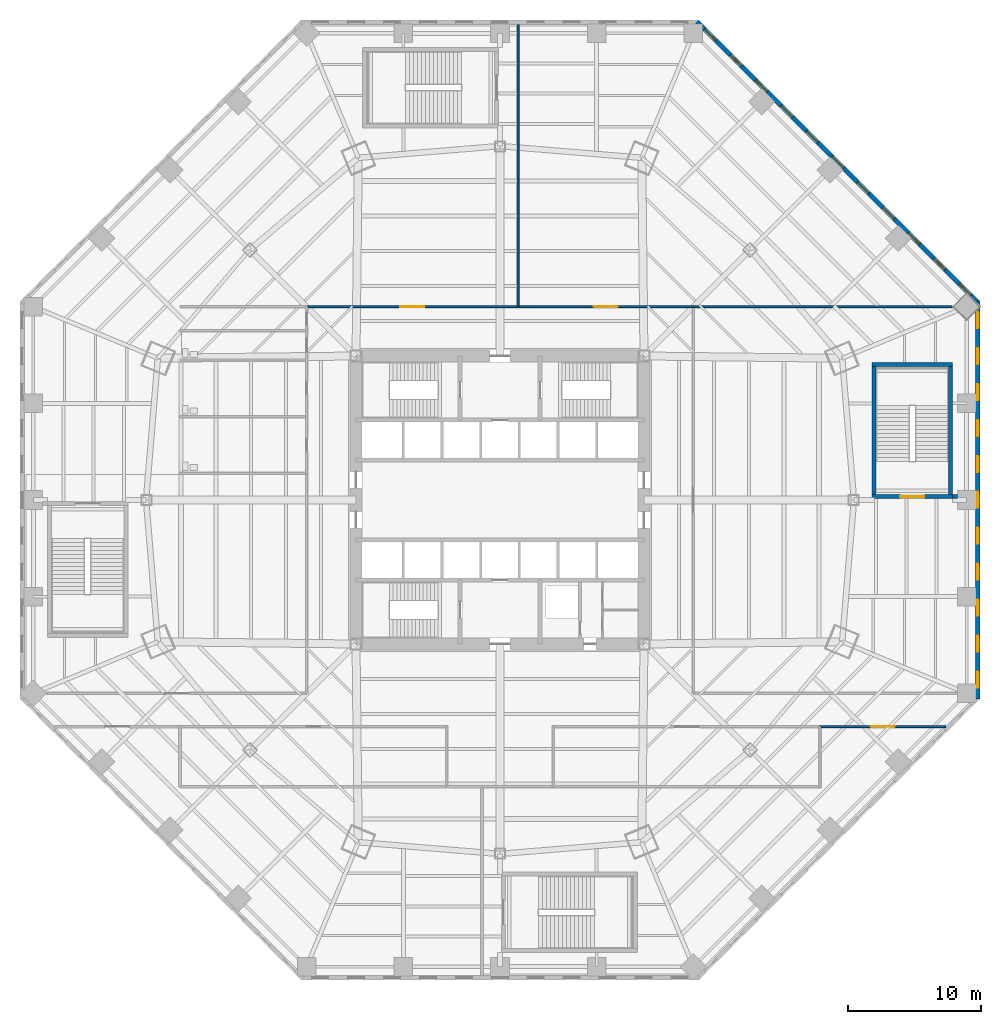
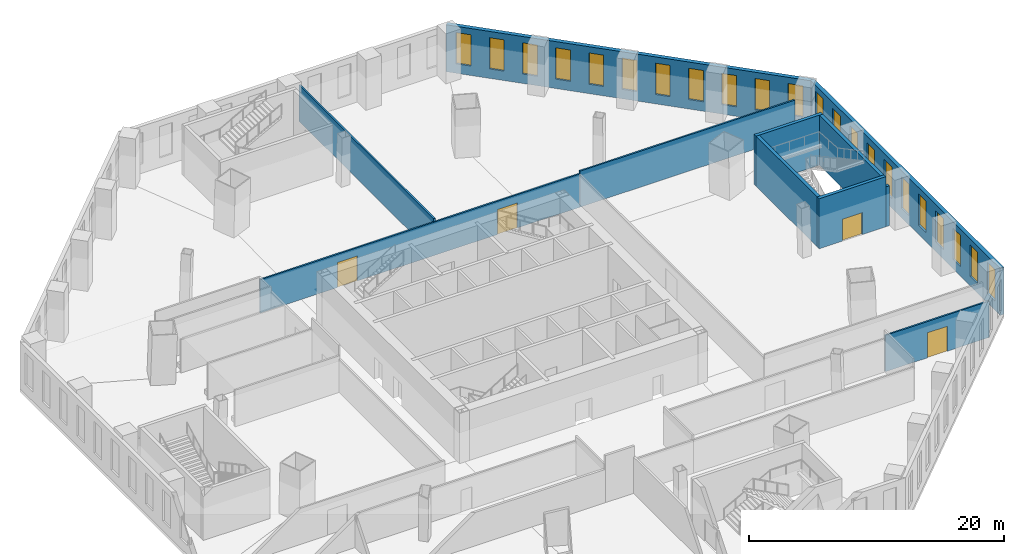
# One storey, part 13 of 19: 22 windows, 11 walls, 4 doors, 26 openings.
"""IFC4 building model written with IfcOpenShell, lengths in metres."""

from ifc_helpers import new_model, si_unit, direction, frame, frame_2d, origin, place, context, subcontext, project, spatial, rectangle, extrude, material, layer, layer_set, type_object, element, fill, save


model = new_model("IFC4")

# Units and contexts
model_context = context("Model", 3, precision=1e-05, world=origin(), true_north=direction((0.0, 1.0)))
body_context = subcontext(model_context, "Body", "Model", "MODEL_VIEW")
ifc_project = project(units=[si_unit("LENGTHUNIT", "METRE"), si_unit("AREAUNIT", "SQUARE_METRE"), si_unit("VOLUMEUNIT", "CUBIC_METRE"), si_unit("PLANEANGLEUNIT", "RADIAN"), si_unit("MASSUNIT", "GRAM", prefix="KILO")], contexts=[model_context])

# Site, building, storey
site_placement = place(None, origin())
site = spatial("IfcSite", under=ifc_project, at=site_placement, CompositionType="ELEMENT")
building_placement = place(site_placement, origin())
building = spatial("IfcBuilding", under=site, at=building_placement, Name="Mashrafa Tower", CompositionType="ELEMENT")
storey_placement = place(building_placement, frame((0.0, 0.0, 24.0)))
storey = spatial("IfcBuildingStorey", under=building, at=storey_placement, Name="L04", CompositionType="ELEMENT", Elevation=24.0)

# Wall, opening, door
ifc_material_1 = material(Name="Gypsum board on steel studs", Category="steel")
ifc_layer_1 = layer(ifc_material_1, 0.14990234375)
ifc_layer_set_1 = layer_set([ifc_layer_1], Name="Corridor partition 150 1 hr")
wall_type_1 = type_object("IfcWallType", Name="Corridor partition 150 1 hr", PredefinedType="PARTITIONING", material=ifc_layer_set_1)
wall_1_placement = place(storey_placement, frame((33.416748046875, -17.0, 0.0), z_axis=(0.0, 0.0, 1.0), x_axis=(-1.0, 0.0, 0.0)))
wall_1 = element("IfcWall", 1, at=wall_1_placement, inside=storey, type_object=wall_type_1, Name="Corridor wall L04-018", PredefinedType="PARTITIONING", context=body_context, shape_type="SweptSolid", body=[
    extrude(rectangle(XDim=9.416748046875, YDim=0.14990234375, at=frame_2d((4.70849609375, 0.0))), origin(), (0.0, 0.0, 1.0), 3.47900390625),
])
opening_1_placement = place(wall_1_placement, frame((3.808349609375, 0.0, 0.0)))
opening_1 = element("IfcOpeningElement", 2, at=opening_1_placement, cuts=wall_1, Name="Opening 04.006", PredefinedType="OPENING", context=body_context, shape_type="SweptSolid", body=[
    extrude(rectangle(XDim=1.800048828125, YDim=2.39990234375, at=frame_2d((0.89990234375, 1.199951171875))), frame((0.0, 0.0849609375, 0.0), z_axis=(0.0, -1.0, 0.0), x_axis=(1.0, 0.0, 0.0)), (0.0, 0.0, 1.0), 0.169921875),
])
ifc_material_2 = material(Name="Timber door", Category="wood")
door_type_1 = type_object("IfcDoorType", Name="Door pair 1800 x 2400", OperationType="DOUBLE_DOOR_SINGLE_SWING", PredefinedType="DOOR", material=ifc_material_2)
door_1_placement = place(opening_1_placement, origin())
door_1 = element("IfcDoor", 3, at=door_1_placement, inside=storey, type_object=door_type_1, Name="Civic Office 404 door", OperationType="DOUBLE_DOOR_SINGLE_SWING", OverallHeight=2.39990234375, OverallWidth=1.800048828125, PredefinedType="DOOR", context=body_context, shape_type="SweptSolid", body=[
    extrude(rectangle(XDim=1.800048828125, YDim=2.39990234375, at=frame_2d((0.89990234375, 1.199951171875))), frame((0.0, 0.02490234375, 0.0), z_axis=(0.0, -1.0, 0.0), x_axis=(1.0, 0.0, 0.0)), (0.0, 0.0, 1.0), 0.050048828125),
])
fill(opening_1, door_1)

# Wall, openings, doors
wall_2_placement = place(storey_placement, frame((-14.5009765625, 14.5, 0.0), z_axis=(0.0, 0.0, 1.0), x_axis=(1.0, 0.0, 0.0)))
wall_2 = element("IfcWall", 4, at=wall_2_placement, inside=storey, type_object=wall_type_1, Name="Corridor wall L04-022", PredefinedType="PARTITIONING", context=body_context, shape_type="SweptSolid", body=[
    extrude(rectangle(XDim=29.001953125, YDim=0.14990234375, at=frame_2d((14.5009765625, 0.0))), origin(), (0.0, 0.0, 1.0), 3.18994140625),
])
opening_2_placement = place(wall_2_placement, frame((7.025390625, 0.0, 0.0)))
opening_2 = element("IfcOpeningElement", 5, at=opening_2_placement, cuts=wall_2, Name="Opening 04.008", PredefinedType="OPENING", context=body_context, shape_type="SweptSolid", body=[
    extrude(rectangle(XDim=1.800048828125, YDim=2.39990234375, at=frame_2d((0.89990234375, 1.199951171875))), frame((0.0, 0.0849609375, 0.0), z_axis=(0.0, -1.0, 0.0), x_axis=(1.0, 0.0, 0.0)), (0.0, 0.0, 1.0), 0.169921875),
])
opening_3_placement = place(wall_2_placement, frame((21.526611328125, 0.0, 0.0)))
opening_3 = element("IfcOpeningElement", 6, at=opening_3_placement, cuts=wall_2, Name="Opening 04.009", PredefinedType="OPENING", context=body_context, shape_type="SweptSolid", body=[
    extrude(rectangle(XDim=1.800048828125, YDim=2.39990234375, at=frame_2d((0.89990234375, 1.199951171875))), frame((0.0, 0.0849609375, 0.0), z_axis=(0.0, -1.0, 0.0), x_axis=(1.0, 0.0, 0.0)), (0.0, 0.0, 1.0), 0.169921875),
])
door_2_placement = place(opening_2_placement, origin())
door_2 = element("IfcDoor", 7, at=door_2_placement, inside=storey, type_object=door_type_1, Name="Civic Office 401 door", OperationType="DOUBLE_DOOR_SINGLE_SWING", OverallHeight=2.39990234375, OverallWidth=1.800048828125, PredefinedType="DOOR", context=body_context, shape_type="SweptSolid", body=[
    extrude(rectangle(XDim=1.800048828125, YDim=2.39990234375, at=frame_2d((0.89990234375, 1.199951171875))), frame((0.0, 0.02490234375, 0.0), z_axis=(0.0, -1.0, 0.0), x_axis=(1.0, 0.0, 0.0)), (0.0, 0.0, 1.0), 0.050048828125),
])
fill(opening_2, door_2)
door_3_placement = place(opening_3_placement, frame((1.800048828125, 0.0, 0.0), z_axis=(0.0, 0.0, 1.0), x_axis=(-1.0, 0.0, 0.0)))
door_3 = element("IfcDoor", 8, at=door_3_placement, inside=storey, type_object=door_type_1, Name="Civic Office 402 door", OperationType="DOUBLE_DOOR_SINGLE_SWING", OverallHeight=2.39990234375, OverallWidth=1.800048828125, PredefinedType="DOOR", context=body_context, shape_type="SweptSolid", body=[
    extrude(rectangle(XDim=1.800048828125, YDim=2.39990234375, at=frame_2d((0.89990234375, 1.199951171875))), frame((0.0, 0.02490234375, 0.0), z_axis=(0.0, -1.0, 0.0), x_axis=(1.0, 0.0, 0.0)), (0.0, 0.0, 1.0), 0.050048828125),
])
fill(opening_3, door_3)

# Wall, openings, windows
ifc_material_3 = material(Name="Riyadh limestone cladding on blockwork", Category="masonry")
ifc_layer_2 = layer(ifc_material_3, 0.35009765625)
ifc_layer_set_2 = layer_set([ifc_layer_2], Name="Limestone-clad external wall 350")
wall_type_2 = type_object("IfcWallType", Name="Limestone-clad external wall 350", PredefinedType="SOLIDWALL", material=ifc_layer_set_2)
wall_3_placement = place(storey_placement, frame((35.824951171875, -14.91162109375, 0.0), z_axis=(0.0, 0.0, 1.0), x_axis=(0.0, 1.0, 0.0)))
wall_3 = element("IfcWall", 9, at=wall_3_placement, inside=storey, type_object=wall_type_2, Name="Limestone-clad external wall L04 east", PredefinedType="SOLIDWALL", context=body_context, shape_type="SweptSolid", body=[
    extrude(rectangle(XDim=29.8232421875, YDim=0.35009765625, at=frame_2d((14.91162109375, 0.0))), origin(), (0.0, 0.0, 1.0), 4.5),
])
opening_4_placement = place(wall_3_placement, frame((0.821533203125, 0.0, 0.89990234375)))
opening_4 = element("IfcOpeningElement", 10, at=opening_4_placement, cuts=wall_3, Name="Opening W3", PredefinedType="OPENING", context=body_context, shape_type="SweptSolid", body=[
    extrude(rectangle(XDim=1.199951171875, YDim=3.0, at=frame_2d((0.60009765625, 1.5))), frame((0.0, 0.18505859375, 0.0), z_axis=(0.0, -1.0, 0.0), x_axis=(1.0, 0.0, 0.0)), (0.0, 0.0, 1.0), 0.3701171875),
])
opening_5_placement = place(wall_3_placement, frame((3.51953125, 0.0, 0.89990234375)))
opening_5 = element("IfcOpeningElement", 11, at=opening_5_placement, cuts=wall_3, Name="Opening W3", PredefinedType="OPENING", context=body_context, shape_type="SweptSolid", body=[
    extrude(rectangle(XDim=1.199951171875, YDim=3.0, at=frame_2d((0.60009765625, 1.5))), frame((0.0, 0.18505859375, 0.0), z_axis=(0.0, -1.0, 0.0), x_axis=(1.0, 0.0, 0.0)), (0.0, 0.0, 1.0), 0.3701171875),
])
opening_6_placement = place(wall_3_placement, frame((6.217529296875, 0.0, 0.89990234375)))
opening_6 = element("IfcOpeningElement", 12, at=opening_6_placement, cuts=wall_3, Name="Opening W3", PredefinedType="OPENING", context=body_context, shape_type="SweptSolid", body=[
    extrude(rectangle(XDim=1.199951171875, YDim=3.0, at=frame_2d((0.60009765625, 1.5))), frame((0.0, 0.18505859375, 0.0), z_axis=(0.0, -1.0, 0.0), x_axis=(1.0, 0.0, 0.0)), (0.0, 0.0, 1.0), 0.3701171875),
])
opening_7_placement = place(wall_3_placement, frame((8.91552734375, 0.0, 0.89990234375)))
opening_7 = element("IfcOpeningElement", 13, at=opening_7_placement, cuts=wall_3, Name="Opening W3", PredefinedType="OPENING", context=body_context, shape_type="SweptSolid", body=[
    extrude(rectangle(XDim=1.199951171875, YDim=3.0, at=frame_2d((0.60009765625, 1.5))), frame((0.0, 0.18505859375, 0.0), z_axis=(0.0, -1.0, 0.0), x_axis=(1.0, 0.0, 0.0)), (0.0, 0.0, 1.0), 0.3701171875),
])
opening_8_placement = place(wall_3_placement, frame((11.61376953125, 0.0, 0.89990234375)))
opening_8 = element("IfcOpeningElement", 14, at=opening_8_placement, cuts=wall_3, Name="Opening W3", PredefinedType="OPENING", context=body_context, shape_type="SweptSolid", body=[
    extrude(rectangle(XDim=1.199951171875, YDim=3.0, at=frame_2d((0.60009765625, 1.5))), frame((0.0, 0.18505859375, 0.0), z_axis=(0.0, -1.0, 0.0), x_axis=(1.0, 0.0, 0.0)), (0.0, 0.0, 1.0), 0.3701171875),
])
opening_9_placement = place(wall_3_placement, frame((14.311767578125, 0.0, 0.89990234375)))
opening_9 = element("IfcOpeningElement", 15, at=opening_9_placement, cuts=wall_3, Name="Opening W3", PredefinedType="OPENING", context=body_context, shape_type="SweptSolid", body=[
    extrude(rectangle(XDim=1.199951171875, YDim=3.0, at=frame_2d((0.60009765625, 1.5))), frame((0.0, 0.18505859375, 0.0), z_axis=(0.0, -1.0, 0.0), x_axis=(1.0, 0.0, 0.0)), (0.0, 0.0, 1.0), 0.3701171875),
])
opening_10_placement = place(wall_3_placement, frame((17.009765625, 0.0, 0.89990234375)))
opening_10 = element("IfcOpeningElement", 16, at=opening_10_placement, cuts=wall_3, Name="Opening W3", PredefinedType="OPENING", context=body_context, shape_type="SweptSolid", body=[
    extrude(rectangle(XDim=1.199951171875, YDim=3.0, at=frame_2d((0.60009765625, 1.5))), frame((0.0, 0.18505859375, 0.0), z_axis=(0.0, -1.0, 0.0), x_axis=(1.0, 0.0, 0.0)), (0.0, 0.0, 1.0), 0.3701171875),
])
opening_11_placement = place(wall_3_placement, frame((19.707763671875, 0.0, 0.89990234375)))
opening_11 = element("IfcOpeningElement", 17, at=opening_11_placement, cuts=wall_3, Name="Opening W3", PredefinedType="OPENING", context=body_context, shape_type="SweptSolid", body=[
    extrude(rectangle(XDim=1.199951171875, YDim=3.0, at=frame_2d((0.60009765625, 1.5))), frame((0.0, 0.18505859375, 0.0), z_axis=(0.0, -1.0, 0.0), x_axis=(1.0, 0.0, 0.0)), (0.0, 0.0, 1.0), 0.3701171875),
])
opening_12_placement = place(wall_3_placement, frame((22.40576171875, 0.0, 0.89990234375)))
opening_12 = element("IfcOpeningElement", 18, at=opening_12_placement, cuts=wall_3, Name="Opening W3", PredefinedType="OPENING", context=body_context, shape_type="SweptSolid", body=[
    extrude(rectangle(XDim=1.199951171875, YDim=3.0, at=frame_2d((0.60009765625, 1.5))), frame((0.0, 0.18505859375, 0.0), z_axis=(0.0, -1.0, 0.0), x_axis=(1.0, 0.0, 0.0)), (0.0, 0.0, 1.0), 0.3701171875),
])
opening_13_placement = place(wall_3_placement, frame((25.103759765625, 0.0, 0.89990234375)))
opening_13 = element("IfcOpeningElement", 19, at=opening_13_placement, cuts=wall_3, Name="Opening W3", PredefinedType="OPENING", context=body_context, shape_type="SweptSolid", body=[
    extrude(rectangle(XDim=1.199951171875, YDim=3.0, at=frame_2d((0.60009765625, 1.5))), frame((0.0, 0.18505859375, 0.0), z_axis=(0.0, -1.0, 0.0), x_axis=(1.0, 0.0, 0.0)), (0.0, 0.0, 1.0), 0.3701171875),
])
opening_14_placement = place(wall_3_placement, frame((27.8017578125, 0.0, 0.89990234375)))
opening_14 = element("IfcOpeningElement", 20, at=opening_14_placement, cuts=wall_3, Name="Opening W3", PredefinedType="OPENING", context=body_context, shape_type="SweptSolid", body=[
    extrude(rectangle(XDim=1.199951171875, YDim=3.0, at=frame_2d((0.60009765625, 1.5))), frame((0.0, 0.18505859375, 0.0), z_axis=(0.0, -1.0, 0.0), x_axis=(1.0, 0.0, 0.0)), (0.0, 0.0, 1.0), 0.3701171875),
])
ifc_material_4 = material(Name="Bronze-framed insulated glazing", Category="glass")
window_type = type_object("IfcWindowType", Name="Tall punched window 1200 x 3000", PartitioningType="DOUBLE_PANEL_HORIZONTAL", PredefinedType="WINDOW", material=ifc_material_4)
window_1_placement = place(opening_4_placement, origin())
window_1 = element("IfcWindow", 21, at=window_1_placement, inside=storey, type_object=window_type, Name="Window W3 L04 east bay 1", OverallHeight=3.0, OverallWidth=1.199951171875, PartitioningType="SINGLE_PANEL", PredefinedType="WINDOW", context=body_context, shape_type="SweptSolid", body=[
    extrude(rectangle(XDim=1.199951171875, YDim=3.0, at=frame_2d((0.60009765625, 1.5))), frame((0.0, 0.030029296875, 0.0), z_axis=(0.0, -1.0, 0.0), x_axis=(1.0, 0.0, 0.0)), (0.0, 0.0, 1.0), 0.06005859375),
])
fill(opening_4, window_1)
window_2_placement = place(opening_5_placement, origin())
window_2 = element("IfcWindow", 22, at=window_2_placement, inside=storey, type_object=window_type, Name="Window W3 L04 east bay 2", OverallHeight=3.0, OverallWidth=1.199951171875, PartitioningType="SINGLE_PANEL", PredefinedType="WINDOW", context=body_context, shape_type="SweptSolid", body=[
    extrude(rectangle(XDim=1.199951171875, YDim=3.0, at=frame_2d((0.60009765625, 1.5))), frame((0.0, 0.030029296875, 0.0), z_axis=(0.0, -1.0, 0.0), x_axis=(1.0, 0.0, 0.0)), (0.0, 0.0, 1.0), 0.06005859375),
])
fill(opening_5, window_2)
window_3_placement = place(opening_6_placement, origin())
window_3 = element("IfcWindow", 23, at=window_3_placement, inside=storey, type_object=window_type, Name="Window W3 L04 east bay 3", OverallHeight=3.0, OverallWidth=1.199951171875, PartitioningType="SINGLE_PANEL", PredefinedType="WINDOW", context=body_context, shape_type="SweptSolid", body=[
    extrude(rectangle(XDim=1.199951171875, YDim=3.0, at=frame_2d((0.60009765625, 1.5))), frame((0.0, 0.030029296875, 0.0), z_axis=(0.0, -1.0, 0.0), x_axis=(1.0, 0.0, 0.0)), (0.0, 0.0, 1.0), 0.06005859375),
])
fill(opening_6, window_3)
window_4_placement = place(opening_7_placement, origin())
window_4 = element("IfcWindow", 24, at=window_4_placement, inside=storey, type_object=window_type, Name="Window W3 L04 east bay 4", OverallHeight=3.0, OverallWidth=1.199951171875, PartitioningType="SINGLE_PANEL", PredefinedType="WINDOW", context=body_context, shape_type="SweptSolid", body=[
    extrude(rectangle(XDim=1.199951171875, YDim=3.0, at=frame_2d((0.60009765625, 1.5))), frame((0.0, 0.030029296875, 0.0), z_axis=(0.0, -1.0, 0.0), x_axis=(1.0, 0.0, 0.0)), (0.0, 0.0, 1.0), 0.06005859375),
])
fill(opening_7, window_4)
window_5_placement = place(opening_8_placement, origin())
window_5 = element("IfcWindow", 25, at=window_5_placement, inside=storey, type_object=window_type, Name="Window W3 L04 east bay 5", OverallHeight=3.0, OverallWidth=1.199951171875, PartitioningType="SINGLE_PANEL", PredefinedType="WINDOW", context=body_context, shape_type="SweptSolid", body=[
    extrude(rectangle(XDim=1.199951171875, YDim=3.0, at=frame_2d((0.60009765625, 1.5))), frame((0.0, 0.030029296875, 0.0), z_axis=(0.0, -1.0, 0.0), x_axis=(1.0, 0.0, 0.0)), (0.0, 0.0, 1.0), 0.06005859375),
])
fill(opening_8, window_5)
window_6_placement = place(opening_9_placement, origin())
window_6 = element("IfcWindow", 26, at=window_6_placement, inside=storey, type_object=window_type, Name="Window W3 L04 east bay 6", OverallHeight=3.0, OverallWidth=1.199951171875, PartitioningType="SINGLE_PANEL", PredefinedType="WINDOW", context=body_context, shape_type="SweptSolid", body=[
    extrude(rectangle(XDim=1.199951171875, YDim=3.0, at=frame_2d((0.60009765625, 1.5))), frame((0.0, 0.030029296875, 0.0), z_axis=(0.0, -1.0, 0.0), x_axis=(1.0, 0.0, 0.0)), (0.0, 0.0, 1.0), 0.06005859375),
])
fill(opening_9, window_6)
window_7_placement = place(opening_10_placement, origin())
window_7 = element("IfcWindow", 27, at=window_7_placement, inside=storey, type_object=window_type, Name="Window W3 L04 east bay 7", OverallHeight=3.0, OverallWidth=1.199951171875, PartitioningType="SINGLE_PANEL", PredefinedType="WINDOW", context=body_context, shape_type="SweptSolid", body=[
    extrude(rectangle(XDim=1.199951171875, YDim=3.0, at=frame_2d((0.60009765625, 1.5))), frame((0.0, 0.030029296875, 0.0), z_axis=(0.0, -1.0, 0.0), x_axis=(1.0, 0.0, 0.0)), (0.0, 0.0, 1.0), 0.06005859375),
])
fill(opening_10, window_7)
window_8_placement = place(opening_11_placement, origin())
window_8 = element("IfcWindow", 28, at=window_8_placement, inside=storey, type_object=window_type, Name="Window W3 L04 east bay 8", OverallHeight=3.0, OverallWidth=1.199951171875, PartitioningType="SINGLE_PANEL", PredefinedType="WINDOW", context=body_context, shape_type="SweptSolid", body=[
    extrude(rectangle(XDim=1.199951171875, YDim=3.0, at=frame_2d((0.60009765625, 1.5))), frame((0.0, 0.030029296875, 0.0), z_axis=(0.0, -1.0, 0.0), x_axis=(1.0, 0.0, 0.0)), (0.0, 0.0, 1.0), 0.06005859375),
])
fill(opening_11, window_8)
window_9_placement = place(opening_12_placement, origin())
window_9 = element("IfcWindow", 29, at=window_9_placement, inside=storey, type_object=window_type, Name="Window W3 L04 east bay 9", OverallHeight=3.0, OverallWidth=1.199951171875, PartitioningType="SINGLE_PANEL", PredefinedType="WINDOW", context=body_context, shape_type="SweptSolid", body=[
    extrude(rectangle(XDim=1.199951171875, YDim=3.0, at=frame_2d((0.60009765625, 1.5))), frame((0.0, 0.030029296875, 0.0), z_axis=(0.0, -1.0, 0.0), x_axis=(1.0, 0.0, 0.0)), (0.0, 0.0, 1.0), 0.06005859375),
])
fill(opening_12, window_9)
window_10_placement = place(opening_13_placement, origin())
window_10 = element("IfcWindow", 30, at=window_10_placement, inside=storey, type_object=window_type, Name="Window W3 L04 east bay 10", OverallHeight=3.0, OverallWidth=1.199951171875, PartitioningType="SINGLE_PANEL", PredefinedType="WINDOW", context=body_context, shape_type="SweptSolid", body=[
    extrude(rectangle(XDim=1.199951171875, YDim=3.0, at=frame_2d((0.60009765625, 1.5))), frame((0.0, 0.030029296875, 0.0), z_axis=(0.0, -1.0, 0.0), x_axis=(1.0, 0.0, 0.0)), (0.0, 0.0, 1.0), 0.06005859375),
])
fill(opening_13, window_10)
window_11_placement = place(opening_14_placement, origin())
window_11 = element("IfcWindow", 31, at=window_11_placement, inside=storey, type_object=window_type, Name="Window W3 L04 east bay 11", OverallHeight=3.0, OverallWidth=1.199951171875, PartitioningType="SINGLE_PANEL", PredefinedType="WINDOW", context=body_context, shape_type="SweptSolid", body=[
    extrude(rectangle(XDim=1.199951171875, YDim=3.0, at=frame_2d((0.60009765625, 1.5))), frame((0.0, 0.030029296875, 0.0), z_axis=(0.0, -1.0, 0.0), x_axis=(1.0, 0.0, 0.0)), (0.0, 0.0, 1.0), 0.06005859375),
])
fill(opening_14, window_11)

wall_4_placement = place(storey_placement, frame((35.876220703125, 14.787841796875, 0.0), z_axis=(0.0, 0.0, 1.0), x_axis=(-0.707106781187, 0.707106781187, 0.0)))
wall_4 = element("IfcWall", 32, at=wall_4_placement, inside=storey, type_object=wall_type_2, Name="Limestone-clad external wall L04 north-east", PredefinedType="SOLIDWALL", context=body_context, shape_type="SweptSolid", body=[
    extrude(rectangle(XDim=29.823486328125, YDim=0.35009765625, at=frame_2d((14.91162109375, 0.0))), origin(), (0.0, 0.0, 1.0), 4.5),
])
opening_15_placement = place(wall_4_placement, frame((0.821533203125, 0.0, 0.89990234375)))
opening_15 = element("IfcOpeningElement", 33, at=opening_15_placement, cuts=wall_4, Name="Opening W3", PredefinedType="OPENING", context=body_context, shape_type="SweptSolid", body=[
    extrude(rectangle(XDim=1.199951171875, YDim=3.0, at=frame_2d((0.60009765625, 1.5))), frame((0.0, 0.18505859375, 0.0), z_axis=(0.0, -1.0, 0.0), x_axis=(1.0, 0.0, 0.0)), (0.0, 0.0, 1.0), 0.3701171875),
])
opening_16_placement = place(wall_4_placement, frame((3.51953125, 0.0, 0.89990234375)))
opening_16 = element("IfcOpeningElement", 34, at=opening_16_placement, cuts=wall_4, Name="Opening W3", PredefinedType="OPENING", context=body_context, shape_type="SweptSolid", body=[
    extrude(rectangle(XDim=1.199951171875, YDim=3.0, at=frame_2d((0.60009765625, 1.5))), frame((0.0, 0.18505859375, 0.0), z_axis=(0.0, -1.0, 0.0), x_axis=(1.0, 0.0, 0.0)), (0.0, 0.0, 1.0), 0.3701171875),
])
opening_17_placement = place(wall_4_placement, frame((6.217529296875, 0.0, 0.89990234375)))
opening_17 = element("IfcOpeningElement", 35, at=opening_17_placement, cuts=wall_4, Name="Opening W3", PredefinedType="OPENING", context=body_context, shape_type="SweptSolid", body=[
    extrude(rectangle(XDim=1.199951171875, YDim=3.0, at=frame_2d((0.60009765625, 1.5))), frame((0.0, 0.18505859375, 0.0), z_axis=(0.0, -1.0, 0.0), x_axis=(1.0, 0.0, 0.0)), (0.0, 0.0, 1.0), 0.3701171875),
])
opening_18_placement = place(wall_4_placement, frame((8.91552734375, 0.0, 0.89990234375)))
opening_18 = element("IfcOpeningElement", 36, at=opening_18_placement, cuts=wall_4, Name="Opening W3", PredefinedType="OPENING", context=body_context, shape_type="SweptSolid", body=[
    extrude(rectangle(XDim=1.199951171875, YDim=3.0, at=frame_2d((0.60009765625, 1.5))), frame((0.0, 0.18505859375, 0.0), z_axis=(0.0, -1.0, 0.0), x_axis=(1.0, 0.0, 0.0)), (0.0, 0.0, 1.0), 0.3701171875),
])
opening_19_placement = place(wall_4_placement, frame((11.61376953125, 0.0, 0.89990234375)))
opening_19 = element("IfcOpeningElement", 37, at=opening_19_placement, cuts=wall_4, Name="Opening W3", PredefinedType="OPENING", context=body_context, shape_type="SweptSolid", body=[
    extrude(rectangle(XDim=1.199951171875, YDim=3.0, at=frame_2d((0.60009765625, 1.5))), frame((0.0, 0.18505859375, 0.0), z_axis=(0.0, -1.0, 0.0), x_axis=(1.0, 0.0, 0.0)), (0.0, 0.0, 1.0), 0.3701171875),
])
opening_20_placement = place(wall_4_placement, frame((14.311767578125, 0.0, 0.89990234375)))
opening_20 = element("IfcOpeningElement", 38, at=opening_20_placement, cuts=wall_4, Name="Opening W3", PredefinedType="OPENING", context=body_context, shape_type="SweptSolid", body=[
    extrude(rectangle(XDim=1.199951171875, YDim=3.0, at=frame_2d((0.60009765625, 1.5))), frame((0.0, 0.18505859375, 0.0), z_axis=(0.0, -1.0, 0.0), x_axis=(1.0, 0.0, 0.0)), (0.0, 0.0, 1.0), 0.3701171875),
])
opening_21_placement = place(wall_4_placement, frame((17.009765625, 0.0, 0.89990234375)))
opening_21 = element("IfcOpeningElement", 39, at=opening_21_placement, cuts=wall_4, Name="Opening W3", PredefinedType="OPENING", context=body_context, shape_type="SweptSolid", body=[
    extrude(rectangle(XDim=1.199951171875, YDim=3.0, at=frame_2d((0.60009765625, 1.5))), frame((0.0, 0.18505859375, 0.0), z_axis=(0.0, -1.0, 0.0), x_axis=(1.0, 0.0, 0.0)), (0.0, 0.0, 1.0), 0.3701171875),
])
opening_22_placement = place(wall_4_placement, frame((19.707763671875, 0.0, 0.89990234375)))
opening_22 = element("IfcOpeningElement", 40, at=opening_22_placement, cuts=wall_4, Name="Opening W3", PredefinedType="OPENING", context=body_context, shape_type="SweptSolid", body=[
    extrude(rectangle(XDim=1.199951171875, YDim=3.0, at=frame_2d((0.60009765625, 1.5))), frame((0.0, 0.18505859375, 0.0), z_axis=(0.0, -1.0, 0.0), x_axis=(1.0, 0.0, 0.0)), (0.0, 0.0, 1.0), 0.3701171875),
])
opening_23_placement = place(wall_4_placement, frame((22.40576171875, 0.0, 0.89990234375)))
opening_23 = element("IfcOpeningElement", 41, at=opening_23_placement, cuts=wall_4, Name="Opening W3", PredefinedType="OPENING", context=body_context, shape_type="SweptSolid", body=[
    extrude(rectangle(XDim=1.199951171875, YDim=3.0, at=frame_2d((0.60009765625, 1.5))), frame((0.0, 0.18505859375, 0.0), z_axis=(0.0, -1.0, 0.0), x_axis=(1.0, 0.0, 0.0)), (0.0, 0.0, 1.0), 0.3701171875),
])
opening_24_placement = place(wall_4_placement, frame((25.103759765625, 0.0, 0.89990234375)))
opening_24 = element("IfcOpeningElement", 42, at=opening_24_placement, cuts=wall_4, Name="Opening W3", PredefinedType="OPENING", context=body_context, shape_type="SweptSolid", body=[
    extrude(rectangle(XDim=1.199951171875, YDim=3.0, at=frame_2d((0.60009765625, 1.5))), frame((0.0, 0.18505859375, 0.0), z_axis=(0.0, -1.0, 0.0), x_axis=(1.0, 0.0, 0.0)), (0.0, 0.0, 1.0), 0.3701171875),
])
opening_25_placement = place(wall_4_placement, frame((27.8017578125, 0.0, 0.89990234375)))
opening_25 = element("IfcOpeningElement", 43, at=opening_25_placement, cuts=wall_4, Name="Opening W3", PredefinedType="OPENING", context=body_context, shape_type="SweptSolid", body=[
    extrude(rectangle(XDim=1.199951171875, YDim=3.0, at=frame_2d((0.60009765625, 1.5))), frame((0.0, 0.18505859375, 0.0), z_axis=(0.0, -1.0, 0.0), x_axis=(1.0, 0.0, 0.0)), (0.0, 0.0, 1.0), 0.3701171875),
])
window_12_placement = place(opening_15_placement, origin())
window_12 = element("IfcWindow", 44, at=window_12_placement, inside=storey, type_object=window_type, Name="Window W3 L04 north-east bay 1", OverallHeight=3.0, OverallWidth=1.199951171875, PartitioningType="SINGLE_PANEL", PredefinedType="WINDOW", context=body_context, shape_type="SweptSolid", body=[
    extrude(rectangle(XDim=1.199951171875, YDim=3.0, at=frame_2d((0.60009765625, 1.5))), frame((0.0, 0.030029296875, 0.0), z_axis=(0.0, -1.0, 0.0), x_axis=(1.0, 0.0, 0.0)), (0.0, 0.0, 1.0), 0.06005859375),
])
fill(opening_15, window_12)
window_13_placement = place(opening_16_placement, origin())
window_13 = element("IfcWindow", 45, at=window_13_placement, inside=storey, type_object=window_type, Name="Window W3 L04 north-east bay 2", OverallHeight=3.0, OverallWidth=1.199951171875, PartitioningType="SINGLE_PANEL", PredefinedType="WINDOW", context=body_context, shape_type="SweptSolid", body=[
    extrude(rectangle(XDim=1.199951171875, YDim=3.0, at=frame_2d((0.60009765625, 1.5))), frame((0.0, 0.030029296875, 0.0), z_axis=(0.0, -1.0, 0.0), x_axis=(1.0, 0.0, 0.0)), (0.0, 0.0, 1.0), 0.06005859375),
])
fill(opening_16, window_13)
window_14_placement = place(opening_17_placement, origin())
window_14 = element("IfcWindow", 46, at=window_14_placement, inside=storey, type_object=window_type, Name="Window W3 L04 north-east bay 3", OverallHeight=3.0, OverallWidth=1.199951171875, PartitioningType="SINGLE_PANEL", PredefinedType="WINDOW", context=body_context, shape_type="SweptSolid", body=[
    extrude(rectangle(XDim=1.199951171875, YDim=3.0, at=frame_2d((0.60009765625, 1.5))), frame((0.0, 0.030029296875, 0.0), z_axis=(0.0, -1.0, 0.0), x_axis=(1.0, 0.0, 0.0)), (0.0, 0.0, 1.0), 0.06005859375),
])
fill(opening_17, window_14)
window_15_placement = place(opening_18_placement, origin())
window_15 = element("IfcWindow", 47, at=window_15_placement, inside=storey, type_object=window_type, Name="Window W3 L04 north-east bay 4", OverallHeight=3.0, OverallWidth=1.199951171875, PartitioningType="SINGLE_PANEL", PredefinedType="WINDOW", context=body_context, shape_type="SweptSolid", body=[
    extrude(rectangle(XDim=1.199951171875, YDim=3.0, at=frame_2d((0.60009765625, 1.5))), frame((0.0, 0.030029296875, 0.0), z_axis=(0.0, -1.0, 0.0), x_axis=(1.0, 0.0, 0.0)), (0.0, 0.0, 1.0), 0.06005859375),
])
fill(opening_18, window_15)
window_16_placement = place(opening_19_placement, origin())
window_16 = element("IfcWindow", 48, at=window_16_placement, inside=storey, type_object=window_type, Name="Window W3 L04 north-east bay 5", OverallHeight=3.0, OverallWidth=1.199951171875, PartitioningType="SINGLE_PANEL", PredefinedType="WINDOW", context=body_context, shape_type="SweptSolid", body=[
    extrude(rectangle(XDim=1.199951171875, YDim=3.0, at=frame_2d((0.60009765625, 1.5))), frame((0.0, 0.030029296875, 0.0), z_axis=(0.0, -1.0, 0.0), x_axis=(1.0, 0.0, 0.0)), (0.0, 0.0, 1.0), 0.06005859375),
])
fill(opening_19, window_16)
window_17_placement = place(opening_20_placement, origin())
window_17 = element("IfcWindow", 49, at=window_17_placement, inside=storey, type_object=window_type, Name="Window W3 L04 north-east bay 6", OverallHeight=3.0, OverallWidth=1.199951171875, PartitioningType="SINGLE_PANEL", PredefinedType="WINDOW", context=body_context, shape_type="SweptSolid", body=[
    extrude(rectangle(XDim=1.199951171875, YDim=3.0, at=frame_2d((0.60009765625, 1.5))), frame((0.0, 0.030029296875, 0.0), z_axis=(0.0, -1.0, 0.0), x_axis=(1.0, 0.0, 0.0)), (0.0, 0.0, 1.0), 0.06005859375),
])
fill(opening_20, window_17)
window_18_placement = place(opening_21_placement, origin())
window_18 = element("IfcWindow", 50, at=window_18_placement, inside=storey, type_object=window_type, Name="Window W3 L04 north-east bay 7", OverallHeight=3.0, OverallWidth=1.199951171875, PartitioningType="SINGLE_PANEL", PredefinedType="WINDOW", context=body_context, shape_type="SweptSolid", body=[
    extrude(rectangle(XDim=1.199951171875, YDim=3.0, at=frame_2d((0.60009765625, 1.5))), frame((0.0, 0.030029296875, 0.0), z_axis=(0.0, -1.0, 0.0), x_axis=(1.0, 0.0, 0.0)), (0.0, 0.0, 1.0), 0.06005859375),
])
fill(opening_21, window_18)
window_19_placement = place(opening_22_placement, origin())
window_19 = element("IfcWindow", 51, at=window_19_placement, inside=storey, type_object=window_type, Name="Window W3 L04 north-east bay 8", OverallHeight=3.0, OverallWidth=1.199951171875, PartitioningType="SINGLE_PANEL", PredefinedType="WINDOW", context=body_context, shape_type="SweptSolid", body=[
    extrude(rectangle(XDim=1.199951171875, YDim=3.0, at=frame_2d((0.60009765625, 1.5))), frame((0.0, 0.030029296875, 0.0), z_axis=(0.0, -1.0, 0.0), x_axis=(1.0, 0.0, 0.0)), (0.0, 0.0, 1.0), 0.06005859375),
])
fill(opening_22, window_19)
window_20_placement = place(opening_23_placement, origin())
window_20 = element("IfcWindow", 52, at=window_20_placement, inside=storey, type_object=window_type, Name="Window W3 L04 north-east bay 9", OverallHeight=3.0, OverallWidth=1.199951171875, PartitioningType="SINGLE_PANEL", PredefinedType="WINDOW", context=body_context, shape_type="SweptSolid", body=[
    extrude(rectangle(XDim=1.199951171875, YDim=3.0, at=frame_2d((0.60009765625, 1.5))), frame((0.0, 0.030029296875, 0.0), z_axis=(0.0, -1.0, 0.0), x_axis=(1.0, 0.0, 0.0)), (0.0, 0.0, 1.0), 0.06005859375),
])
fill(opening_23, window_20)
window_21_placement = place(opening_24_placement, origin())
window_21 = element("IfcWindow", 53, at=window_21_placement, inside=storey, type_object=window_type, Name="Window W3 L04 north-east bay 10", OverallHeight=3.0, OverallWidth=1.199951171875, PartitioningType="SINGLE_PANEL", PredefinedType="WINDOW", context=body_context, shape_type="SweptSolid", body=[
    extrude(rectangle(XDim=1.199951171875, YDim=3.0, at=frame_2d((0.60009765625, 1.5))), frame((0.0, 0.030029296875, 0.0), z_axis=(0.0, -1.0, 0.0), x_axis=(1.0, 0.0, 0.0)), (0.0, 0.0, 1.0), 0.06005859375),
])
fill(opening_24, window_21)
window_22_placement = place(opening_25_placement, origin())
window_22 = element("IfcWindow", 54, at=window_22_placement, inside=storey, type_object=window_type, Name="Window W3 L04 north-east bay 11", OverallHeight=3.0, OverallWidth=1.199951171875, PartitioningType="SINGLE_PANEL", PredefinedType="WINDOW", context=body_context, shape_type="SweptSolid", body=[
    extrude(rectangle(XDim=1.199951171875, YDim=3.0, at=frame_2d((0.60009765625, 1.5))), frame((0.0, 0.030029296875, 0.0), z_axis=(0.0, -1.0, 0.0), x_axis=(1.0, 0.0, 0.0)), (0.0, 0.0, 1.0), 0.06005859375),
])
fill(opening_25, window_22)

# Walls
ifc_material_5 = material(Name="Gypsum board on steel studs", Category="steel")
ifc_layer_3 = layer(ifc_material_5, 0.14990234375)
ifc_layer_set_3 = layer_set([ifc_layer_3], Name="Partition 150")
wall_type_3 = type_object("IfcWallType", Name="Partition 150", PredefinedType="PARTITIONING", material=ifc_layer_set_3)
wall_5_placement = place(storey_placement, frame((1.35009765625, 14.5, 0.0), z_axis=(0.0, 0.0, 1.0), x_axis=(0.0, 1.0, 0.0)))
element("IfcWall", 55, at=wall_5_placement, inside=storey, type_object=wall_type_3, Name="Partition wall L04-021", PredefinedType="PARTITIONING", context=body_context, shape_type="SweptSolid", body=[
    extrude(rectangle(XDim=21.14990234375, YDim=0.14990234375, at=frame_2d((10.574951171875, 0.0))), origin(), (0.0, 0.0, 1.0), 3.47900390625),
])
wall_6_placement = place(storey_placement, frame((14.4990234375, 14.5, 0.0), z_axis=(0.0, 0.0, 1.0), x_axis=(1.0, 0.0, 0.0)))
element("IfcWall", 56, at=wall_6_placement, inside=storey, type_object=wall_type_3, Name="Partition wall L04-023", PredefinedType="PARTITIONING", context=body_context, shape_type="SweptSolid", body=[
    extrude(rectangle(XDim=19.486572265625, YDim=0.14990234375, at=frame_2d((9.7431640625, 0.0))), origin(), (0.0, 0.0, 1.0), 3.448486328125),
])

# Wall, opening, door
ifc_material_6 = material(Name="Concrete C35/45", Category="concrete")
ifc_layer_4 = layer(ifc_material_6, 0.300048828125)
ifc_layer_set_4 = layer_set([ifc_layer_4], Name="Stair core wall 300 3 hr")
wall_type_4 = type_object("IfcWallType", Name="Stair core wall 300 3 hr", PredefinedType="SOLIDWALL", material=ifc_layer_set_4)
wall_7_placement = place(storey_placement, frame((27.89990234375, 0.25, 0.0), z_axis=(0.0, 0.0, 1.0), x_axis=(1.0, 0.0, 0.0)))
wall_7 = element("IfcWall", 57, at=wall_7_placement, inside=storey, type_object=wall_type_4, Name="Stair P1 core wall S L04", PredefinedType="SOLIDWALL", context=body_context, shape_type="SweptSolid", body=[
    extrude(rectangle(XDim=6.050048828125, YDim=0.300048828125, at=frame_2d((3.02490234375, 0.0))), origin(), (0.0, 0.0, 1.0), 4.800048828125),
])
opening_26_placement = place(wall_7_placement, frame((2.125, 0.0, 0.0)))
opening_26 = element("IfcOpeningElement", 58, at=opening_26_placement, cuts=wall_7, Name="Opening 04.026", PredefinedType="OPENING", context=body_context, shape_type="SweptSolid", body=[
    extrude(rectangle(XDim=1.800048828125, YDim=2.10009765625, at=frame_2d((0.89990234375, 1.050048828125))), frame((0.0, 0.159912109375, 0.0), z_axis=(0.0, -1.0, 0.0), x_axis=(1.0, 0.0, 0.0)), (0.0, 0.0, 1.0), 0.320068359375),
])
ifc_material_7 = material(Name="Steel door", Category="steel")
door_type_2 = type_object("IfcDoorType", Name="Stair door pair 1800 x 2100 90 min", OperationType="DOUBLE_DOOR_SINGLE_SWING", PredefinedType="DOOR", material=ifc_material_7)
door_4_placement = place(opening_26_placement, origin())
door_4 = element("IfcDoor", 59, at=door_4_placement, inside=storey, type_object=door_type_2, Name="Stair P1 door L04", OperationType="DOUBLE_DOOR_SINGLE_SWING", OverallHeight=2.10009765625, OverallWidth=1.800048828125, PredefinedType="DOOR", context=body_context, shape_type="SweptSolid", body=[
    extrude(rectangle(XDim=1.800048828125, YDim=2.10009765625, at=frame_2d((0.89990234375, 1.050048828125))), frame((0.0, 0.02490234375, 0.0), z_axis=(0.0, -1.0, 0.0), x_axis=(1.0, 0.0, 0.0)), (0.0, 0.0, 1.0), 0.050048828125),
])
fill(opening_26, door_4)

# Walls
wall_8_placement = place(storey_placement, frame((33.949951171875, 0.25, 0.0), z_axis=(0.0, 0.0, 1.0), x_axis=(1.0, 0.0, 0.0)))
element("IfcWall", 60, at=wall_8_placement, inside=storey, type_object=wall_type_4, Name="Stair P1 core wall S L04 end piece 2", PredefinedType="SOLIDWALL", context=body_context, shape_type="SweptSolid", body=[
    extrude(rectangle(XDim=0.35009765625, YDim=0.300048828125, at=frame_2d((0.175048828125, 0.0))), origin(), (0.0, 0.0, 1.0), 3.816650390625),
])
wall_9_placement = place(storey_placement, frame((33.949951171875, 10.14990234375, 0.0), z_axis=(0.0, 0.0, 1.0), x_axis=(-1.0, 0.0, 0.0)))
element("IfcWall", 61, at=wall_9_placement, inside=storey, type_object=wall_type_4, Name="Stair P1 core wall N L04", PredefinedType="SOLIDWALL", context=body_context, shape_type="SweptSolid", body=[
    extrude(rectangle(XDim=6.050048828125, YDim=0.300048828125, at=frame_2d((3.02490234375, 0.0))), origin(), (0.0, 0.0, 1.0), 4.800048828125),
])
for number, where, z_axis, x_axis, name in (
    (62, (28.050048828125, 10.0, 0.0), (0.0, 0.0, 1.0), (0.0, -1.0, 0.0), "Stair P1 core wall W L04"),
    (63, (33.800048828125, 0.39990234375, 0.0), (0.0, 0.0, 1.0), (0.0, 1.0, 0.0), "Stair P1 core wall E L04"),
):
    element("IfcWall", number, at=place(storey_placement, frame(where, z_axis=z_axis, x_axis=x_axis)), inside=storey, type_object=wall_type_4, Name=name, PredefinedType="SOLIDWALL", context=body_context, shape_type="SweptSolid", body=[
        extrude(rectangle(XDim=9.60009765625, YDim=0.300048828125, at=frame_2d((4.800048828125, 0.0))), origin(), (0.0, 0.0, 1.0), 4.800048828125),
    ])

save(model, "model.ifc")
